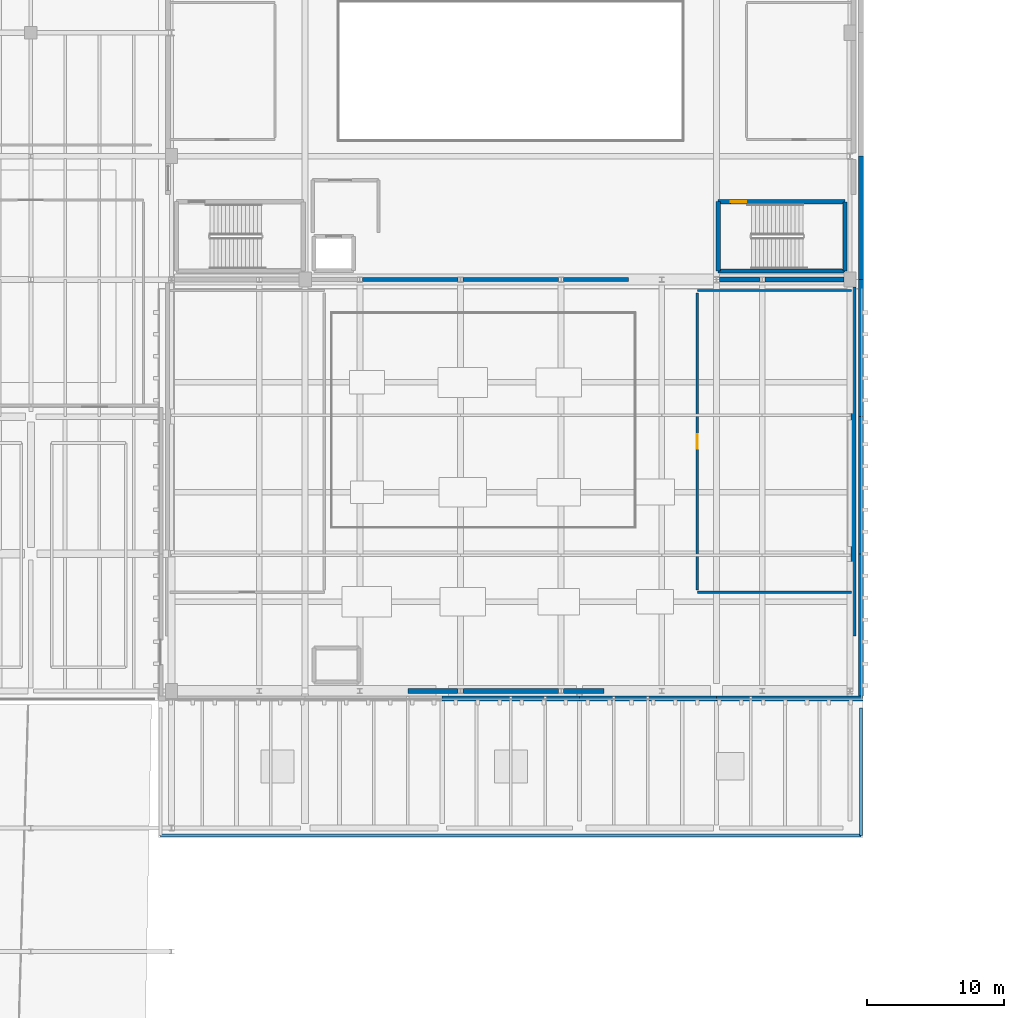
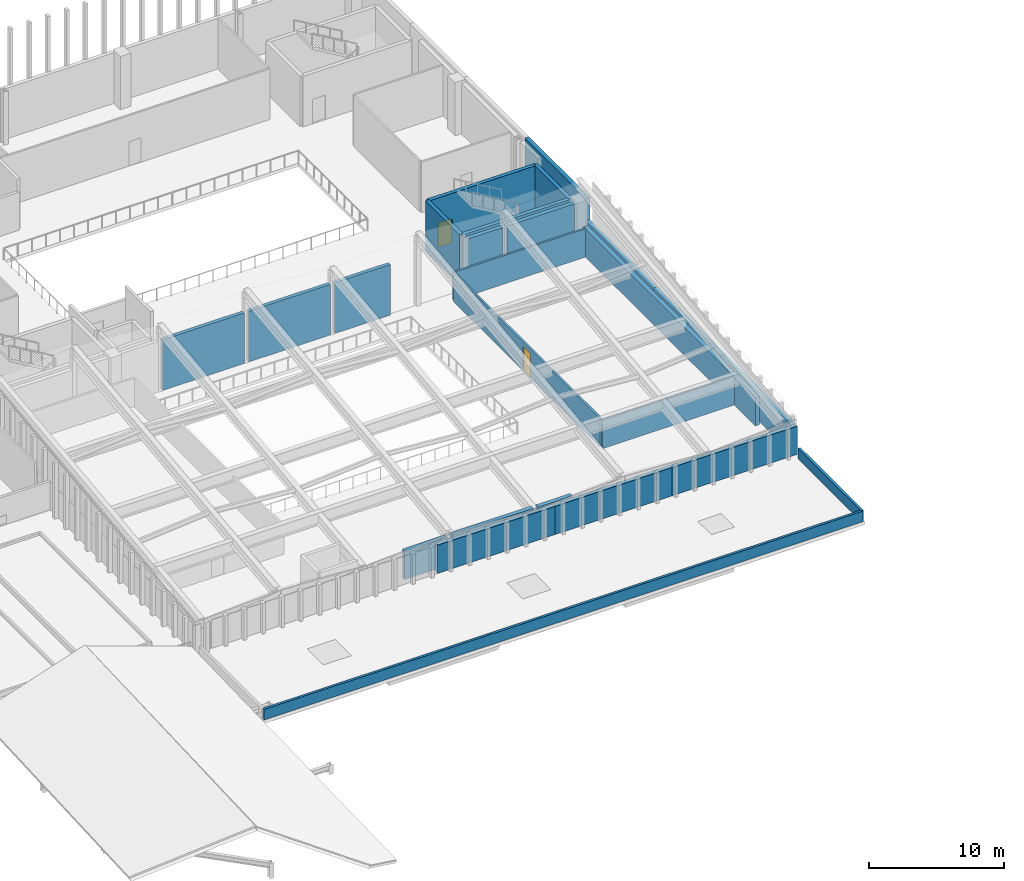
# One storey, part 20 of 30: 25 walls, 2 doors, 2 openings.
"""IFC4 building model written with IfcOpenShell, lengths in metres."""

from ifc_helpers import new_model, si_unit, direction, frame, frame_2d, origin, place, context, subcontext, project, spatial, rectangle, extrude, material, layer, layer_set, type_object, element, fill, save


model = new_model("IFC4")

# Units and contexts
model_context = context("Model", 3, precision=1e-05, world=origin(), true_north=direction((0.0, 1.0)))
body_context = subcontext(model_context, "Body", "Model", "MODEL_VIEW")
ifc_project = project(units=[si_unit("LENGTHUNIT", "METRE"), si_unit("AREAUNIT", "SQUARE_METRE"), si_unit("VOLUMEUNIT", "CUBIC_METRE"), si_unit("PLANEANGLEUNIT", "RADIAN"), si_unit("MASSUNIT", "GRAM", prefix="KILO")], contexts=[model_context])

# Site, building, storey
site_placement = place(None, origin())
site = spatial("IfcSite", under=ifc_project, at=site_placement, CompositionType="ELEMENT")
building_placement = place(site_placement, origin())
building = spatial("IfcBuilding", under=site, at=building_placement, Name="Trimount Lyric Opera House", CompositionType="ELEMENT")
storey_placement = place(building_placement, frame((0.0, 0.0, 24.800048828125)))
storey = spatial("IfcBuildingStorey", under=building, at=storey_placement, Name="L05", CompositionType="ELEMENT", Elevation=24.800048828125)

# Walls
ifc_material_1 = material(Name="Precast concrete C40/50", Category="concrete")
ifc_layer_1 = layer(ifc_material_1, 0.2099609375)
ifc_layer_set_1 = layer_set([ifc_layer_1], Name="WL-PA210")
wall_type_1 = type_object("IfcWallType", Name="WL-PA210", PredefinedType="PARAPET", material=ifc_layer_set_1)
wall_1_placement = place(storey_placement, frame((114.5400390625, 43.4599609375, 0.0), z_axis=(0.0, 0.0, 1.0), x_axis=(-1.0, 0.0, 0.0)))
element("IfcWall", 1, at=wall_1_placement, inside=storey, type_object=wall_type_1, Name="L05 roof parapet 029", PredefinedType="PARAPET", context=body_context, shape_type="SweptSolid", body=[
    extrude(rectangle(XDim=51.080078125, YDim=0.2099609375, at=frame_2d((25.5400390625, 0.0))), origin(), (0.0, 0.0, 1.0), 0.949951171875),
])
wall_2_placement = place(storey_placement, frame((114.5400390625, 52.77001953125, 0.0), z_axis=(0.0, 0.0, 1.0), x_axis=(0.0, -1.0, 0.0)))
element("IfcWall", 2, at=wall_2_placement, inside=storey, type_object=wall_type_1, Name="L05 roof parapet 031", PredefinedType="PARAPET", context=body_context, shape_type="SweptSolid", body=[
    extrude(rectangle(XDim=9.31005859375, YDim=0.2099609375, at=frame_2d((4.655029296875, 0.0))), origin(), (0.0, 0.0, 1.0), 0.949951171875),
])
ifc_material_2 = material(Name="Acoustic Double-Stud Gypsum Board")
ifc_layer_2 = layer(ifc_material_2, 0.1650390625)
ifc_layer_set_2 = layer_set([ifc_layer_2], Name="WL-PT165")
wall_type_2 = type_object("IfcWallType", Name="WL-PT165", PredefinedType="PARTITIONING", material=ifc_layer_set_2)
for number, where, z_axis, x_axis, name in (
    (3, (102.60009765625, 61.199951171875, 0.0), (0.0, 0.0, 1.0), (1.0, 0.0, 0.0), "L05 Tunable Reverberation Gallery S partition"),
    (4, (113.860107421875, 83.199951171875, 0.0), (0.0, 0.0, 1.0), (-1.0, 0.0, 0.0), "L05 Tunable Reverberation Gallery N partition"),
):
    element("IfcWall", number, at=place(storey_placement, frame(where, z_axis=z_axis, x_axis=x_axis)), inside=storey, type_object=wall_type_2, Name=name, PredefinedType="PARTITIONING", context=body_context, shape_type="SweptSolid", body=[
        extrude(rectangle(XDim=11.260009765625, YDim=0.1650390625, at=frame_2d((5.6298828125, 0.0))), origin(), (0.0, 0.0, 1.0), 2.550048828125),
    ])

# Wall, opening, door
wall_3_placement = place(storey_placement, frame((102.60009765625, 83.034912109375, 0.0), z_axis=(0.0, 0.0, 1.0), x_axis=(0.0, -1.0, 0.0)))
wall_3 = element("IfcWall", 5, at=wall_3_placement, inside=storey, type_object=wall_type_2, Name="L05 Tunable Reverberation Gallery W partition", PredefinedType="PARTITIONING", context=body_context, shape_type="SweptSolid", body=[
    extrude(rectangle(XDim=21.669921875, YDim=0.1650390625, at=frame_2d((10.8349609375, 0.0))), origin(), (0.0, 0.0, 1.0), 2.58984375),
])
opening_1_placement = place(wall_3_placement, frame((10.31005859375, 0.0, 0.0)))
opening_1 = element("IfcOpeningElement", 6, at=opening_1_placement, cuts=wall_3, Name="Opening DT-RM3", PredefinedType="OPENING", context=body_context, shape_type="SweptSolid", body=[
    extrude(rectangle(XDim=1.050048828125, YDim=2.199951171875, at=frame_2d((0.52490234375, 1.10009765625))), frame((0.0, 0.092529296875, 0.0), z_axis=(0.0, -1.0, 0.0), x_axis=(1.0, 0.0, 0.0)), (0.0, 0.0, 1.0), 0.18505859375),
])
ifc_material_3 = material(Name="Solid Core White Oak")
door_type_1 = type_object("IfcDoorType", Name="DT-RM3", OperationType="NOTDEFINED", PredefinedType="DOOR", material=ifc_material_3)
door_1_placement = place(opening_1_placement, origin())
door_1 = element("IfcDoor", 7, at=door_1_placement, inside=storey, type_object=door_type_1, Name="D-245", OperationType="SINGLE_SWING_LEFT", OverallHeight=2.199951171875, OverallWidth=1.050048828125, PredefinedType="DOOR", context=body_context, shape_type="SweptSolid", body=[
    extrude(rectangle(XDim=1.050048828125, YDim=2.199951171875, at=frame_2d((0.52490234375, 1.10009765625))), frame((0.0, 0.02490234375, 0.0), z_axis=(0.0, -1.0, 0.0), x_axis=(1.0, 0.0, 0.0)), (0.0, 0.0, 1.0), 0.050048828125),
])
fill(opening_1, door_1)

# Walls
ifc_material_4 = material(Name="Concrete C40/50", Category="concrete")
ifc_layer_3 = layer(ifc_material_4, 0.300048828125)
ifc_layer_set_3 = layer_set([ifc_layer_3], Name="WL-SH300")
wall_type_3 = type_object("IfcWallType", Name="WL-SH300", PredefinedType="SHEAR", material=ifc_layer_set_3)
for number, where, z_axis, x_axis, name in (
    (8, (78.17822265625, 84.0, 0.0), (0.0, 0.0, 1.0), (1.0, 0.0, 0.0), "L05 proscenium upper fly-tower wall"),
    (9, (85.515380859375, 84.0, 0.0), (0.0, 0.0, 1.0), (1.0, 0.0, 0.0), "L05 proscenium upper fly-tower wall"),
):
    element("IfcWall", number, at=place(storey_placement, frame(where, z_axis=z_axis, x_axis=x_axis)), inside=storey, type_object=wall_type_3, Name=name, PredefinedType="SHEAR", context=body_context, shape_type="SweptSolid", body=[
        extrude(rectangle(XDim=6.96923828125, YDim=0.300048828125, at=frame_2d((3.484619140625, 0.0))), origin(), (0.0, 0.0, 1.0), 4.56005859375),
    ])
wall_4_placement = place(storey_placement, frame((92.8525390625, 84.0, 0.0), z_axis=(0.0, 0.0, 1.0), x_axis=(1.0, 0.0, 0.0)))
element("IfcWall", 10, at=wall_4_placement, inside=storey, type_object=wall_type_3, Name="L05 proscenium upper fly-tower wall", PredefinedType="SHEAR", context=body_context, shape_type="SweptSolid", body=[
    extrude(rectangle(XDim=4.74755859375, YDim=0.300048828125, at=frame_2d((2.373779296875, 0.0))), origin(), (0.0, 0.0, 1.0), 4.56005859375),
])
ifc_material_5 = material(Name="Concrete C40/50", Category="concrete")
ifc_layer_4 = layer(ifc_material_5, 0.320068359375)
ifc_layer_set_4 = layer_set([ifc_layer_4], Name="WL-SH320")
wall_type_4 = type_object("IfcWallType", Name="WL-SH320", PredefinedType="SHEAR", material=ifc_layer_set_4)
wall_5_placement = place(storey_placement, frame((104.125, 84.625, 0.0), z_axis=(0.0, 0.0, 1.0), x_axis=(1.0, 0.0, 0.0)))
element("IfcWall", 11, at=wall_5_placement, inside=storey, type_object=wall_type_4, Name="K4 L05 south shaft wall", PredefinedType="SHEAR", context=body_context, shape_type="SweptSolid", body=[
    extrude(rectangle(XDim=9.25, YDim=0.320068359375, at=frame_2d((4.625, 0.0))), origin(), (0.0, 0.0, 1.0), 4.56005859375),
])

# Wall, opening, door
wall_6_placement = place(storey_placement, frame((113.375, 89.675048828125, 0.0), z_axis=(0.0, 0.0, 1.0), x_axis=(-1.0, 0.0, 0.0)))
wall_6 = element("IfcWall", 12, at=wall_6_placement, inside=storey, type_object=wall_type_4, Name="K4 L05 north shaft wall", PredefinedType="SHEAR", context=body_context, shape_type="SweptSolid", body=[
    extrude(rectangle(XDim=9.25, YDim=0.320068359375, at=frame_2d((4.625, 0.0))), origin(), (0.0, 0.0, 1.0), 4.56005859375),
])
opening_2_placement = place(wall_6_placement, frame((7.199951171875, 0.0, 0.0)))
opening_2 = element("IfcOpeningElement", 13, at=opening_2_placement, cuts=wall_6, Name="Opening DT-ST1", PredefinedType="OPENING", context=body_context, shape_type="SweptSolid", body=[
    extrude(rectangle(XDim=1.14990234375, YDim=2.199951171875, at=frame_2d((0.574951171875, 1.10009765625))), frame((0.0, 0.169921875, 0.0), z_axis=(0.0, -1.0, 0.0), x_axis=(1.0, 0.0, 0.0)), (0.0, 0.0, 1.0), 0.340087890625),
])
ifc_material_6 = material(Name="Fire-Rated Hollow Steel", Category="steel")
door_type_2 = type_object("IfcDoorType", Name="DT-ST1", OperationType="NOTDEFINED", PredefinedType="DOOR", material=ifc_material_6)
door_2_placement = place(opening_2_placement, origin())
door_2 = element("IfcDoor", 14, at=door_2_placement, inside=storey, type_object=door_type_2, Name="D-037", OperationType="SINGLE_SWING_LEFT", OverallHeight=2.199951171875, OverallWidth=1.14990234375, PredefinedType="DOOR", context=body_context, shape_type="SweptSolid", body=[
    extrude(rectangle(XDim=1.14990234375, YDim=2.199951171875, at=frame_2d((0.574951171875, 1.10009765625))), frame((0.0, 0.02490234375, 0.0), z_axis=(0.0, -1.0, 0.0), x_axis=(1.0, 0.0, 0.0)), (0.0, 0.0, 1.0), 0.050048828125),
])
fill(opening_2, door_2)

# Walls
for number, where, z_axis, x_axis, name in (
    (15, (104.125, 89.675048828125, 0.0), (0.0, 0.0, 1.0), (0.0, -1.0, 0.0), "K4 L05 west shaft wall"),
    (16, (113.375, 84.625, 0.0), (0.0, 0.0, 1.0), (0.0, 1.0, 0.0), "K4 L05 east shaft wall"),
):
    element("IfcWall", number, at=place(storey_placement, frame(where, z_axis=z_axis, x_axis=x_axis)), inside=storey, type_object=wall_type_4, Name=name, PredefinedType="SHEAR", context=body_context, shape_type="SweptSolid", body=[
        extrude(rectangle(XDim=5.050048828125, YDim=0.320068359375, at=frame_2d((2.52490234375, 0.0))), origin(), (0.0, 0.0, 1.0), 4.56005859375),
    ])
ifc_material_7 = material(Name="Concrete C40/50", Category="concrete")
ifc_layer_5 = layer(ifc_material_7, 0.35009765625)
ifc_layer_set_5 = layer_set([ifc_layer_5], Name="WL-SH350")
wall_type_5 = type_object("IfcWallType", Name="WL-SH350", PredefinedType="SHEAR", material=ifc_layer_set_5)
wall_7_placement = place(storey_placement, frame((114.0, 58.0, 0.0), z_axis=(0.0, 0.0, 1.0), x_axis=(0.0, 1.0, 0.0)))
element("IfcWall", 17, at=wall_7_placement, inside=storey, type_object=wall_type_5, Name="L05 auditorium east acoustic shear wall", PredefinedType="SHEAR", context=body_context, shape_type="SweptSolid", body=[
    extrude(rectangle(XDim=25.449951171875, YDim=0.35009765625, at=frame_2d((12.72509765625, 0.0))), origin(), (0.0, 0.0, 1.0), 2.550048828125),
])
wall_8_placement = place(storey_placement, frame((81.5, 54.0, 0.0), z_axis=(0.0, 0.0, 1.0), x_axis=(1.0, 0.0, 0.0)))
element("IfcWall", 18, at=wall_8_placement, inside=storey, type_object=wall_type_5, Name="L05 auditorium south acoustic lobby wall", PredefinedType="SHEAR", context=body_context, shape_type="SweptSolid", body=[
    extrude(rectangle(XDim=3.6474609375, YDim=0.35009765625, at=frame_2d((1.82373046875, 0.0))), origin(), (0.0, 0.0, 1.0), 2.550048828125),
])
wall_9_placement = place(storey_placement, frame((85.515380859375, 54.0, 0.0), z_axis=(0.0, 0.0, 1.0), x_axis=(1.0, 0.0, 0.0)))
element("IfcWall", 19, at=wall_9_placement, inside=storey, type_object=wall_type_5, Name="L05 auditorium south acoustic lobby wall", PredefinedType="SHEAR", context=body_context, shape_type="SweptSolid", body=[
    extrude(rectangle(XDim=6.96923828125, YDim=0.35009765625, at=frame_2d((3.484619140625, 0.0))), origin(), (0.0, 0.0, 1.0), 2.58984375),
])
wall_10_placement = place(storey_placement, frame((92.8525390625, 54.0, 0.0), z_axis=(0.0, 0.0, 1.0), x_axis=(1.0, 0.0, 0.0)))
element("IfcWall", 20, at=wall_10_placement, inside=storey, type_object=wall_type_5, Name="L05 auditorium south acoustic lobby wall", PredefinedType="SHEAR", context=body_context, shape_type="SweptSolid", body=[
    extrude(rectangle(XDim=2.947509765625, YDim=0.35009765625, at=frame_2d((1.4736328125, 0.0))), origin(), (0.0, 0.0, 1.0), 2.550048828125),
])
wall_11_placement = place(storey_placement, frame((104.2109375, 84.0, 0.0), z_axis=(0.0, 0.0, 1.0), x_axis=(1.0, 0.0, 0.0)))
element("IfcWall", 21, at=wall_11_placement, inside=storey, type_object=wall_type_5, Name="L05 proscenium east wing wall", PredefinedType="SHEAR", context=body_context, shape_type="SweptSolid", body=[
    extrude(rectangle(XDim=2.947998046875, YDim=0.35009765625, at=frame_2d((1.47412109375, 0.0))), origin(), (0.0, 0.0, 1.0), 4.56005859375),
])
wall_12_placement = place(storey_placement, frame((107.52685546875, 84.0, 0.0), z_axis=(0.0, 0.0, 1.0), x_axis=(1.0, 0.0, 0.0)))
element("IfcWall", 22, at=wall_12_placement, inside=storey, type_object=wall_type_5, Name="L05 proscenium east wing wall", PredefinedType="SHEAR", context=body_context, shape_type="SweptSolid", body=[
    extrude(rectangle(XDim=5.76318359375, YDim=0.35009765625, at=frame_2d((2.881591796875, 0.0))), origin(), (0.0, 0.0, 1.0), 4.56005859375),
])
wall_13_placement = place(storey_placement, frame((114.679931640625, 53.4599609375, 0.0), z_axis=(0.0, 0.0, 1.0), x_axis=(-1.0, 0.0, 0.0)))
element("IfcWall", 23, at=wall_13_placement, inside=storey, type_object=wall_type_5, Name="L05 exterior facade wall 321", PredefinedType="SHEAR", context=body_context, shape_type="SweptSolid", body=[
    extrude(rectangle(XDim=10.679931640625, YDim=0.35009765625, at=frame_2d((5.33984375, 0.0))), origin(), (0.0, 0.0, 1.0), 2.550048828125),
])
for number, where, z_axis, x_axis, name in (
    (24, (104.0, 53.4599609375, 0.0), (0.0, 0.0, 1.0), (-1.0, 0.0, 0.0), "L05 exterior facade wall 322"),
    (25, (94.0, 53.4599609375, 0.0), (0.0, 0.0, 1.0), (-1.0, 0.0, 0.0), "L05 exterior facade wall 323"),
):
    element("IfcWall", number, at=place(storey_placement, frame(where, z_axis=z_axis, x_axis=x_axis)), inside=storey, type_object=wall_type_5, Name=name, PredefinedType="SHEAR", context=body_context, shape_type="SweptSolid", body=[
        extrude(rectangle(XDim=10.0, YDim=0.35009765625, at=frame_2d((5.0, 0.0))), origin(), (0.0, 0.0, 1.0), 2.550048828125),
    ])
wall_14_placement = place(storey_placement, frame((114.5400390625, 93.0, 0.0), z_axis=(0.0, 0.0, 1.0), x_axis=(0.0, -1.0, 0.0)))
element("IfcWall", 26, at=wall_14_placement, inside=storey, type_object=wall_type_5, Name="L05 exterior facade wall 351", PredefinedType="SHEAR", context=body_context, shape_type="SweptSolid", body=[
    extrude(rectangle(XDim=9.0, YDim=0.35009765625, at=frame_2d((4.5, 0.0))), origin(), (0.0, 0.0, 1.0), 4.56005859375),
])
for number, where, z_axis, x_axis, name in (
    (27, (114.5400390625, 84.0, 0.0), (0.0, 0.0, 1.0), (0.0, -1.0, 0.0), "L05 exterior facade wall 352"),
    (28, (114.5400390625, 74.0, 0.0), (0.0, 0.0, 1.0), (0.0, -1.0, 0.0), "L05 exterior facade wall 353"),
):
    element("IfcWall", number, at=place(storey_placement, frame(where, z_axis=z_axis, x_axis=x_axis)), inside=storey, type_object=wall_type_5, Name=name, PredefinedType="SHEAR", context=body_context, shape_type="SweptSolid", body=[
        extrude(rectangle(XDim=10.0, YDim=0.35009765625, at=frame_2d((5.0, 0.0))), origin(), (0.0, 0.0, 1.0), 2.550048828125),
    ])
wall_15_placement = place(storey_placement, frame((114.5400390625, 64.0, 0.0), z_axis=(0.0, 0.0, 1.0), x_axis=(0.0, -1.0, 0.0)))
element("IfcWall", 29, at=wall_15_placement, inside=storey, type_object=wall_type_5, Name="L05 exterior facade wall 354", PredefinedType="SHEAR", context=body_context, shape_type="SweptSolid", body=[
    extrude(rectangle(XDim=10.360107421875, YDim=0.35009765625, at=frame_2d((5.18017578125, 0.0))), origin(), (0.0, 0.0, 1.0), 2.550048828125),
])

save(model, "model.ifc")
